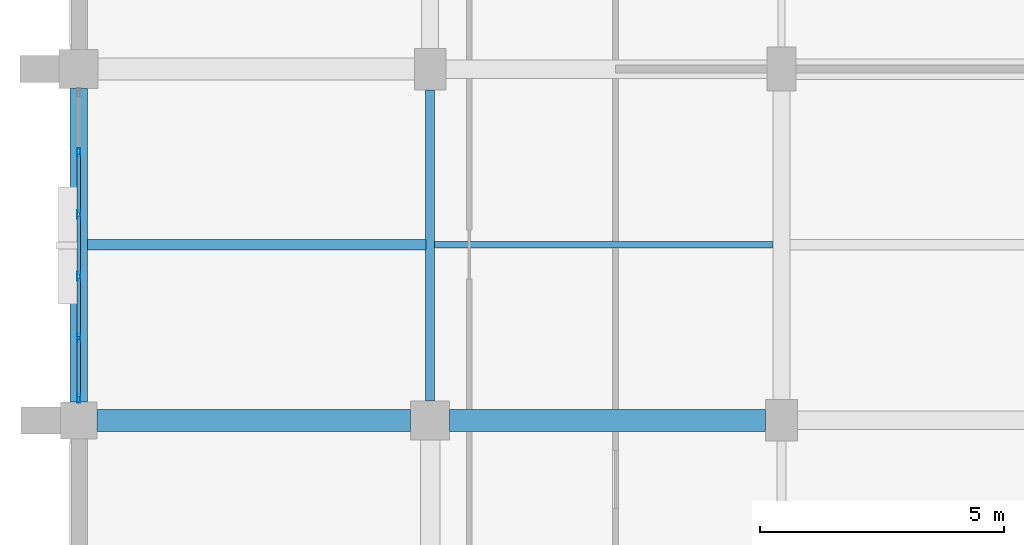
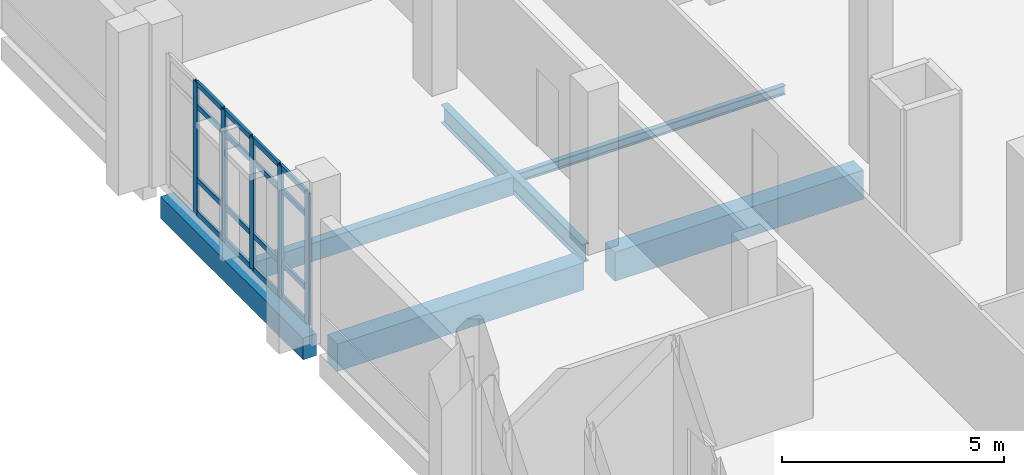
# One storey, part 26 of 134: 21 members, 6 beams, 1 element without a shape of its own.
"""IFC4 building model written with IfcOpenShell, lengths in metres."""

from ifc_helpers import new_model, si_unit, direction, frame, origin, origin_2d, place, context, subcontext, project, spatial, rectangle, hollow_rectangle, i_section, extrude, material, material_profile, profile_set, type_object, element, aggregate, save


model = new_model("IFC4")

# Units and contexts
model_context = context("Model", 3, precision=1e-05, world=origin(), true_north=direction((0.0, 1.0)))
body_context = subcontext(model_context, "Body", "Model", "MODEL_VIEW")
ifc_project = project(units=[si_unit("LENGTHUNIT", "METRE"), si_unit("AREAUNIT", "SQUARE_METRE"), si_unit("VOLUMEUNIT", "CUBIC_METRE"), si_unit("PLANEANGLEUNIT", "RADIAN"), si_unit("MASSUNIT", "GRAM", prefix="KILO")], contexts=[model_context])

# Site, building, storey
site_placement = place(None, origin())
site = spatial("IfcSite", under=ifc_project, at=site_placement, CompositionType="ELEMENT")
building_placement = place(site_placement, origin())
building = spatial("IfcBuilding", under=site, at=building_placement, Name="Kalluvel Institute of Natural Sciences", CompositionType="ELEMENT")
storey_placement = place(building_placement, frame((0.0, 0.0, 5.39990234375)))
storey = spatial("IfcBuildingStorey", under=building, at=storey_placement, Name="L01", CompositionType="ELEMENT", Elevation=5.39990234375)

# Beams
ifc_material_1 = material(Name="Steel E350 Grade 350", Category="steel")
ifc_material_profile_1 = material_profile(ifc_material_1, i_section(OverallWidth=0.179931640625, OverallDepth=0.5, WebThickness=0.01025390625, FlangeThickness=0.01708984375, FilletRadius=0.01708984375, at=origin_2d()), Name="ISMB 500")
ifc_profile_set_1 = profile_set([ifc_material_profile_1], Name="Steel E350 Grade 350")
beam_type_1 = type_object("IfcBeamType", Name="BM-ISMB500", PredefinedType="BEAM", material=ifc_profile_set_1)
beam_1_placement = place(storey_placement, frame((21.199951171875, 72.0, -0.5498046875), z_axis=(0.0, 1.0, 0.0), x_axis=(-1.0, 0.0, 0.0)))
element("IfcBeam", 1, at=beam_1_placement, inside=storey, type_object=beam_type_1, Name="L01 girder GIR-L01-NS-X212-Y716", PredefinedType="BEAM", context=body_context, shape_type="SweptSolid", body=[
    extrude(i_section(OverallWidth=0.179931640625, OverallDepth=0.5, WebThickness=0.01025390625, FlangeThickness=0.01708984375, FilletRadius=0.01708984375, at=origin_2d()), origin(), (0.0, 0.0, 1.0), 6.375),
])
ifc_material_2 = material(Name="Concrete M40", Category="concrete")
ifc_material_profile_2 = material_profile(ifc_material_2, rectangle(XDim=0.449951171875, YDim=0.75, at=origin_2d()), Name="RCB 450x750")
ifc_profile_set_2 = profile_set([ifc_material_profile_2], Name="Concrete M40")
beam_type_2 = type_object("IfcBeamType", Name="BM-RC450x750", PredefinedType="BEAM", material=ifc_profile_set_2)
beam_2_placement = place(storey_placement, frame((14.375, 71.60009765625, -0.6748046875), z_axis=(1.0, 0.0, 0.0), x_axis=(0.0, 1.0, 0.0)))
element("IfcBeam", 2, at=beam_2_placement, inside=storey, type_object=beam_type_2, Name="L01 girder GIR-L01-EW-X140-Y716", PredefinedType="BEAM", context=body_context, shape_type="SweptSolid", body=[
    extrude(rectangle(XDim=0.449951171875, YDim=0.75, at=origin_2d()), origin(), (0.0, 0.0, 1.0), 6.425048828125),
])
ifc_material_profile_3 = material_profile(ifc_material_2, rectangle(XDim=0.449951171875, YDim=0.800048828125, at=origin_2d()), Name="RCB 450x800")
ifc_profile_set_3 = profile_set([ifc_material_profile_3], Name="Concrete M40")
beam_type_3 = type_object("IfcBeamType", Name="BM-RC450x800", PredefinedType="BEAM", material=ifc_profile_set_3)
beam_3_placement = place(storey_placement, frame((21.60009765625, 71.60009765625, -0.699951171875), z_axis=(1.0, 0.0, 0.0), x_axis=(0.0, 1.0, 0.0)))
element("IfcBeam", 3, at=beam_3_placement, inside=storey, type_object=beam_type_3, Name="L01 girder GIR-L01-EW-X212-Y716", PredefinedType="BEAM", context=body_context, shape_type="SweptSolid", body=[
    extrude(rectangle(XDim=0.449951171875, YDim=0.800048828125, at=origin_2d()), origin(), (0.0, 0.0, 1.0), 6.474853515625),
])

# Curtain wall, members
ifc_material_3 = material(Name="Aluminium AW-6063 T6", Category="aluminium")
curtain_wall_type = type_object("IfcCurtainWallType", Name="CW-DRY-45", PredefinedType="USERDEFINED", material=ifc_material_3)
curtain_wall_placement = place(storey_placement, origin())
curtain_wall = element("IfcCurtainWall", 4, at=curtain_wall_placement, inside=storey, type_object=curtain_wall_type, Name="L01 Gothic lancet curtain wall CWA-L01-X140-Y720", ObjectType="UNITISED LANCET FACADE", PredefinedType="USERDEFINED")
ifc_material_profile_4 = material_profile(ifc_material_3, hollow_rectangle(XDim=0.06494140625, YDim=0.179931640625, WallThickness=0.00439453125, at=origin_2d()), Name="CWM 65x180")
ifc_profile_set_4 = profile_set([ifc_material_profile_4], Name="Aluminium AW-6063 T6")
member_type_1 = type_object("IfcMemberType", Name="CWM-65x180", PredefinedType="MULLION", material=ifc_profile_set_4)
member_1_placement = place(storey_placement, frame((14.0, 72.0576171875, 0.0), z_axis=(0.0, 0.0, 1.0), x_axis=(-1.0, 0.0, 0.0)))
member_1 = element("IfcMember", 5, at=member_1_placement, type_object=member_type_1, Name="CW-03 mullion 1", PredefinedType="MULLION", context=body_context, shape_type="SweptSolid", body=[
    extrude(hollow_rectangle(XDim=0.06494140625, YDim=0.179931640625, WallThickness=0.00439453125, at=origin_2d()), origin(), (0.0, 0.0, 1.0), 3.6201171875),
])
member_2_placement = place(storey_placement, frame((14.0, 73.2900390625, 0.0), z_axis=(0.0, 0.0, 1.0), x_axis=(-1.0, 0.0, 0.0)))
member_2 = element("IfcMember", 6, at=member_2_placement, type_object=member_type_1, Name="CW-03 mullion 2", PredefinedType="MULLION", context=body_context, shape_type="SweptSolid", body=[
    extrude(hollow_rectangle(XDim=0.06494140625, YDim=0.179931640625, WallThickness=0.00439453125, at=origin_2d()), origin(), (0.0, 0.0, 1.0), 3.6201171875),
])
member_3_placement = place(storey_placement, frame((14.0, 74.554931640625, 0.0), z_axis=(0.0, 0.0, 1.0), x_axis=(-1.0, 0.0, 0.0)))
member_3 = element("IfcMember", 7, at=member_3_placement, type_object=member_type_1, Name="CW-03 mullion 3", PredefinedType="MULLION", context=body_context, shape_type="SweptSolid", body=[
    extrude(hollow_rectangle(XDim=0.06494140625, YDim=0.179931640625, WallThickness=0.00439453125, at=origin_2d()), origin(), (0.0, 0.0, 1.0), 3.6201171875),
])
member_4_placement = place(storey_placement, frame((14.0, 75.820068359375, 0.0), z_axis=(0.0, 0.0, 1.0), x_axis=(-1.0, 0.0, 0.0)))
member_4 = element("IfcMember", 8, at=member_4_placement, type_object=member_type_1, Name="CW-03 mullion 4", PredefinedType="MULLION", context=body_context, shape_type="SweptSolid", body=[
    extrude(hollow_rectangle(XDim=0.06494140625, YDim=0.179931640625, WallThickness=0.00439453125, at=origin_2d()), origin(), (0.0, 0.0, 1.0), 3.6201171875),
])
member_5_placement = place(storey_placement, frame((14.0, 77.0849609375, 0.0), z_axis=(0.0, 0.0, 1.0), x_axis=(-1.0, 0.0, 0.0)))
member_5 = element("IfcMember", 9, at=member_5_placement, type_object=member_type_1, Name="CW-03 mullion 5", PredefinedType="MULLION", context=body_context, shape_type="SweptSolid", body=[
    extrude(hollow_rectangle(XDim=0.06494140625, YDim=0.179931640625, WallThickness=0.00439453125, at=origin_2d()), origin(), (0.0, 0.0, 1.0), 3.6201171875),
])
ifc_material_profile_5 = material_profile(ifc_material_3, hollow_rectangle(XDim=0.06494140625, YDim=0.139892578125, WallThickness=0.00439453125, at=origin_2d()), Name="CWT 65x140")
ifc_profile_set_5 = profile_set([ifc_material_profile_5], Name="Aluminium AW-6063 T6")
member_type_2 = type_object("IfcMemberType", Name="CWT-65x140", PredefinedType="USERDEFINED", material=ifc_profile_set_5)
member_6_placement = place(storey_placement, frame((14.0, 72.090087890625, 0.03271484375), z_axis=(0.0, 1.0, 0.0), x_axis=(-1.0, 0.0, 0.0)))
member_6 = element("IfcMember", 10, at=member_6_placement, type_object=member_type_2, Name="CW-03 transom 1.1", ObjectType="TRANSOM", PredefinedType="USERDEFINED", context=body_context, shape_type="SweptSolid", body=[
    extrude(hollow_rectangle(XDim=0.06494140625, YDim=0.139892578125, WallThickness=0.00439453125, at=origin_2d()), origin(), (0.0, 0.0, 1.0), 1.16748046875),
])
member_7_placement = place(storey_placement, frame((14.0, 72.090087890625, 0.9501953125), z_axis=(0.0, 1.0, 0.0), x_axis=(-1.0, 0.0, 0.0)))
member_7 = element("IfcMember", 11, at=member_7_placement, type_object=member_type_2, Name="CW-03 transom 1.2", ObjectType="TRANSOM", PredefinedType="USERDEFINED", context=body_context, shape_type="SweptSolid", body=[
    extrude(hollow_rectangle(XDim=0.06494140625, YDim=0.139892578125, WallThickness=0.00439453125, at=origin_2d()), origin(), (0.0, 0.0, 1.0), 1.16748046875),
])
member_8_placement = place(storey_placement, frame((14.0, 72.090087890625, 2.97021484375), z_axis=(0.0, 1.0, 0.0), x_axis=(-1.0, 0.0, 0.0)))
member_8 = element("IfcMember", 12, at=member_8_placement, type_object=member_type_2, Name="CW-03 transom 1.3", ObjectType="TRANSOM", PredefinedType="USERDEFINED", context=body_context, shape_type="SweptSolid", body=[
    extrude(hollow_rectangle(XDim=0.06494140625, YDim=0.139892578125, WallThickness=0.00439453125, at=origin_2d()), origin(), (0.0, 0.0, 1.0), 1.16748046875),
])
member_9_placement = place(storey_placement, frame((14.0, 72.090087890625, 3.587646484375), z_axis=(0.0, 1.0, 0.0), x_axis=(-1.0, 0.0, 0.0)))
member_9 = element("IfcMember", 13, at=member_9_placement, type_object=member_type_2, Name="CW-03 transom 1.4", ObjectType="TRANSOM", PredefinedType="USERDEFINED", context=body_context, shape_type="SweptSolid", body=[
    extrude(hollow_rectangle(XDim=0.06494140625, YDim=0.139892578125, WallThickness=0.00439453125, at=origin_2d()), origin(), (0.0, 0.0, 1.0), 1.16748046875),
])
member_10_placement = place(storey_placement, frame((14.0, 73.322509765625, 0.03271484375), z_axis=(0.0, 1.0, 0.0), x_axis=(-1.0, 0.0, 0.0)))
member_10 = element("IfcMember", 14, at=member_10_placement, type_object=member_type_2, Name="CW-03 transom 2.1", ObjectType="TRANSOM", PredefinedType="USERDEFINED", context=body_context, shape_type="SweptSolid", body=[
    extrude(hollow_rectangle(XDim=0.06494140625, YDim=0.139892578125, WallThickness=0.00439453125, at=origin_2d()), origin(), (0.0, 0.0, 1.0), 1.199951171875),
])
member_11_placement = place(storey_placement, frame((14.0, 73.322509765625, 0.9501953125), z_axis=(0.0, 1.0, 0.0), x_axis=(-1.0, 0.0, 0.0)))
member_11 = element("IfcMember", 15, at=member_11_placement, type_object=member_type_2, Name="CW-03 transom 2.2", ObjectType="TRANSOM", PredefinedType="USERDEFINED", context=body_context, shape_type="SweptSolid", body=[
    extrude(hollow_rectangle(XDim=0.06494140625, YDim=0.139892578125, WallThickness=0.00439453125, at=origin_2d()), origin(), (0.0, 0.0, 1.0), 1.199951171875),
])
member_12_placement = place(storey_placement, frame((14.0, 73.322509765625, 2.97021484375), z_axis=(0.0, 1.0, 0.0), x_axis=(-1.0, 0.0, 0.0)))
member_12 = element("IfcMember", 16, at=member_12_placement, type_object=member_type_2, Name="CW-03 transom 2.3", ObjectType="TRANSOM", PredefinedType="USERDEFINED", context=body_context, shape_type="SweptSolid", body=[
    extrude(hollow_rectangle(XDim=0.06494140625, YDim=0.139892578125, WallThickness=0.00439453125, at=origin_2d()), origin(), (0.0, 0.0, 1.0), 1.199951171875),
])
member_13_placement = place(storey_placement, frame((14.0, 73.322509765625, 3.587646484375), z_axis=(0.0, 1.0, 0.0), x_axis=(-1.0, 0.0, 0.0)))
member_13 = element("IfcMember", 17, at=member_13_placement, type_object=member_type_2, Name="CW-03 transom 2.4", ObjectType="TRANSOM", PredefinedType="USERDEFINED", context=body_context, shape_type="SweptSolid", body=[
    extrude(hollow_rectangle(XDim=0.06494140625, YDim=0.139892578125, WallThickness=0.00439453125, at=origin_2d()), origin(), (0.0, 0.0, 1.0), 1.199951171875),
])
member_14_placement = place(storey_placement, frame((14.0, 74.58740234375, 0.03271484375), z_axis=(0.0, 1.0, 0.0), x_axis=(-1.0, 0.0, 0.0)))
member_14 = element("IfcMember", 18, at=member_14_placement, type_object=member_type_2, Name="CW-03 transom 3.1", ObjectType="TRANSOM", PredefinedType="USERDEFINED", context=body_context, shape_type="SweptSolid", body=[
    extrude(hollow_rectangle(XDim=0.06494140625, YDim=0.139892578125, WallThickness=0.00439453125, at=origin_2d()), origin(), (0.0, 0.0, 1.0), 1.2001953125),
])
member_15_placement = place(storey_placement, frame((14.0, 74.58740234375, 0.9501953125), z_axis=(0.0, 1.0, 0.0), x_axis=(-1.0, 0.0, 0.0)))
member_15 = element("IfcMember", 19, at=member_15_placement, type_object=member_type_2, Name="CW-03 transom 3.2", ObjectType="TRANSOM", PredefinedType="USERDEFINED", context=body_context, shape_type="SweptSolid", body=[
    extrude(hollow_rectangle(XDim=0.06494140625, YDim=0.139892578125, WallThickness=0.00439453125, at=origin_2d()), origin(), (0.0, 0.0, 1.0), 1.2001953125),
])
member_16_placement = place(storey_placement, frame((14.0, 74.58740234375, 2.97021484375), z_axis=(0.0, 1.0, 0.0), x_axis=(-1.0, 0.0, 0.0)))
member_16 = element("IfcMember", 20, at=member_16_placement, type_object=member_type_2, Name="CW-03 transom 3.3", ObjectType="TRANSOM", PredefinedType="USERDEFINED", context=body_context, shape_type="SweptSolid", body=[
    extrude(hollow_rectangle(XDim=0.06494140625, YDim=0.139892578125, WallThickness=0.00439453125, at=origin_2d()), origin(), (0.0, 0.0, 1.0), 1.2001953125),
])
member_17_placement = place(storey_placement, frame((14.0, 74.58740234375, 3.587646484375), z_axis=(0.0, 1.0, 0.0), x_axis=(-1.0, 0.0, 0.0)))
member_17 = element("IfcMember", 21, at=member_17_placement, type_object=member_type_2, Name="CW-03 transom 3.4", ObjectType="TRANSOM", PredefinedType="USERDEFINED", context=body_context, shape_type="SweptSolid", body=[
    extrude(hollow_rectangle(XDim=0.06494140625, YDim=0.139892578125, WallThickness=0.00439453125, at=origin_2d()), origin(), (0.0, 0.0, 1.0), 1.2001953125),
])
member_18_placement = place(storey_placement, frame((14.0, 75.8525390625, 0.03271484375), z_axis=(0.0, 1.0, 0.0), x_axis=(-1.0, 0.0, 0.0)))
member_18 = element("IfcMember", 22, at=member_18_placement, type_object=member_type_2, Name="CW-03 transom 4.1", ObjectType="TRANSOM", PredefinedType="USERDEFINED", context=body_context, shape_type="SweptSolid", body=[
    extrude(hollow_rectangle(XDim=0.06494140625, YDim=0.139892578125, WallThickness=0.00439453125, at=origin_2d()), origin(), (0.0, 0.0, 1.0), 1.199951171875),
])
member_19_placement = place(storey_placement, frame((14.0, 75.8525390625, 0.9501953125), z_axis=(0.0, 1.0, 0.0), x_axis=(-1.0, 0.0, 0.0)))
member_19 = element("IfcMember", 23, at=member_19_placement, type_object=member_type_2, Name="CW-03 transom 4.2", ObjectType="TRANSOM", PredefinedType="USERDEFINED", context=body_context, shape_type="SweptSolid", body=[
    extrude(hollow_rectangle(XDim=0.06494140625, YDim=0.139892578125, WallThickness=0.00439453125, at=origin_2d()), origin(), (0.0, 0.0, 1.0), 1.199951171875),
])
member_20_placement = place(storey_placement, frame((14.0, 75.8525390625, 2.97021484375), z_axis=(0.0, 1.0, 0.0), x_axis=(-1.0, 0.0, 0.0)))
member_20 = element("IfcMember", 24, at=member_20_placement, type_object=member_type_2, Name="CW-03 transom 4.3", ObjectType="TRANSOM", PredefinedType="USERDEFINED", context=body_context, shape_type="SweptSolid", body=[
    extrude(hollow_rectangle(XDim=0.06494140625, YDim=0.139892578125, WallThickness=0.00439453125, at=origin_2d()), origin(), (0.0, 0.0, 1.0), 1.199951171875),
])
member_21_placement = place(storey_placement, frame((14.0, 75.8525390625, 3.587646484375), z_axis=(0.0, 1.0, 0.0), x_axis=(-1.0, 0.0, 0.0)))
member_21 = element("IfcMember", 25, at=member_21_placement, type_object=member_type_2, Name="CW-03 transom 4.4", ObjectType="TRANSOM", PredefinedType="USERDEFINED", context=body_context, shape_type="SweptSolid", body=[
    extrude(hollow_rectangle(XDim=0.06494140625, YDim=0.139892578125, WallThickness=0.00439453125, at=origin_2d()), origin(), (0.0, 0.0, 1.0), 1.199951171875),
])
aggregate(curtain_wall, [member_1, member_2, member_3, member_4, member_5, member_6, member_7, member_8, member_9, member_10, member_11, member_12, member_13, member_14, member_15, member_16, member_17, member_18, member_19, member_20, member_21])

# Beams
ifc_material_profile_6 = material_profile(ifc_material_2, rectangle(XDim=0.35009765625, YDim=0.60009765625, at=origin_2d()), Name="RCB 350x600")
ifc_profile_set_6 = profile_set([ifc_material_profile_6], Name="Concrete M40")
beam_type_4 = type_object("IfcBeamType", Name="SP-RC350x600", PredefinedType="SPANDREL", material=ifc_profile_set_6)
beam_4_placement = place(storey_placement, frame((14.0, 71.97509765625, -0.599853515625), z_axis=(0.0, 1.0, 0.0), x_axis=(-1.0, 0.0, 0.0)))
element("IfcBeam", 26, at=beam_4_placement, inside=storey, type_object=beam_type_4, Name="L01 girder GIR-L01-NS-X140-Y716", PredefinedType="SPANDREL", context=body_context, shape_type="SweptSolid", body=[
    extrude(rectangle(XDim=0.35009765625, YDim=0.60009765625, at=origin_2d()), origin(), (0.0, 0.0, 1.0), 6.4248046875),
])
ifc_material_profile_7 = material_profile(ifc_material_2, rectangle(XDim=0.219970703125, YDim=0.5, at=origin_2d()), Name="WAF 220x500")
ifc_profile_set_7 = profile_set([ifc_material_profile_7], Name="Concrete M40")
beam_type_5 = type_object("IfcBeamType", Name="WJ-220x500", PredefinedType="JOIST", material=ifc_profile_set_7)
beam_5_placement = place(storey_placement, frame((14.175048828125, 75.199951171875, -0.5498046875), z_axis=(1.0, 0.0, 0.0), x_axis=(0.0, 1.0, 0.0)))
element("IfcBeam", 27, at=beam_5_placement, inside=storey, type_object=beam_type_5, Name="L01 floor rib RIB-L01-0647", PredefinedType="JOIST", context=body_context, shape_type="SweptSolid", body=[
    extrude(rectangle(XDim=0.219970703125, YDim=0.5, at=origin_2d()), origin(), (0.0, 0.0, 1.0), 6.93505859375),
])
ifc_material_profile_8 = material_profile(ifc_material_1, i_section(OverallWidth=0.125, OverallDepth=0.25, WebThickness=0.0068359375, FlangeThickness=0.012451171875, FilletRadius=0.012939453125, at=origin_2d()), Name="ISMB 250")
ifc_profile_set_8 = profile_set([ifc_material_profile_8], Name="Steel E350 Grade 350")
beam_type_6 = type_object("IfcBeamType", Name="WJ-ISMB250", PredefinedType="JOIST", material=ifc_profile_set_8)
beam_6_placement = place(storey_placement, frame((21.2900390625, 75.199951171875, -0.4248046875), z_axis=(1.0, 0.0, 0.0), x_axis=(0.0, 1.0, 0.0)))
element("IfcBeam", 28, at=beam_6_placement, inside=storey, type_object=beam_type_6, Name="L01 floor rib RIB-L01-0648", PredefinedType="JOIST", context=body_context, shape_type="SweptSolid", body=[
    extrude(i_section(OverallWidth=0.125, OverallDepth=0.25, WebThickness=0.0068359375, FlangeThickness=0.012451171875, FilletRadius=0.012939453125, at=origin_2d()), origin(), (0.0, 0.0, 1.0), 6.93505859375),
])

save(model, "model.ifc")
